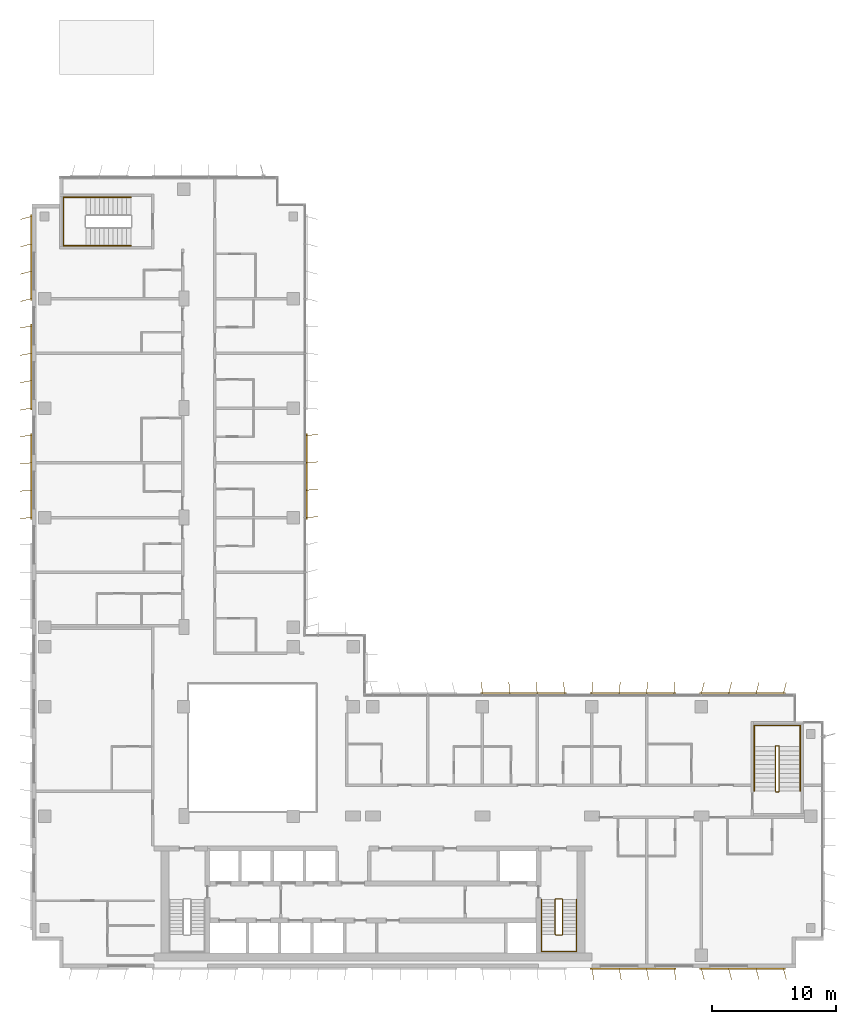
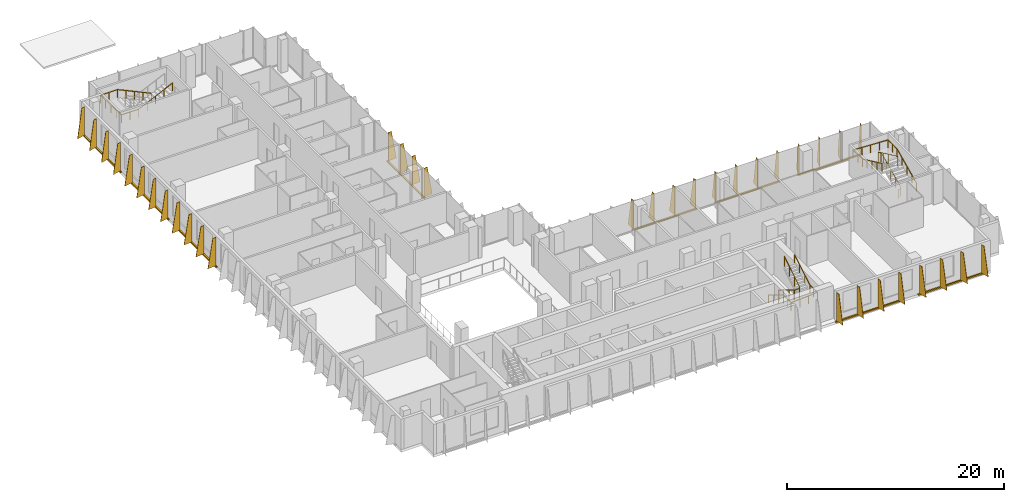
# One storey, part 20 of 21: 9 shading devices, 5 railings.
"""IFC4 building model written with IfcOpenShell, lengths in metres."""

from ifc_helpers import new_model, si_unit, direction, frame, origin, origin_2d, place, context, subcontext, project, spatial, polyline, rectangle, circle, outline, extrude, source, transform, mapped, material, layer, layer_set, type_object, element, save


model = new_model("IFC4")

# Units and contexts
model_context = context("Model", 3, precision=1e-05, world=origin(), true_north=direction((0.0, 1.0)))
body_context = subcontext(model_context, "Body", "Model", "MODEL_VIEW")
ifc_project = project(units=[si_unit("LENGTHUNIT", "METRE"), si_unit("AREAUNIT", "SQUARE_METRE"), si_unit("VOLUMEUNIT", "CUBIC_METRE"), si_unit("PLANEANGLEUNIT", "RADIAN"), si_unit("MASSUNIT", "GRAM", prefix="KILO")], contexts=[model_context])

# Site, building, storey
site_placement = place(None, origin())
site = spatial("IfcSite", under=ifc_project, at=site_placement, CompositionType="ELEMENT")
building_placement = place(site_placement, origin())
building = spatial("IfcBuilding", under=site, at=building_placement, Name="Kemantara Hotel Tower", CompositionType="ELEMENT")
storey_placement = place(building_placement, frame((0.0, 0.0, 156.800048828125)))
storey = spatial("IfcBuildingStorey", under=building, at=storey_placement, Name="L38", CompositionType="ELEMENT", Elevation=156.800048828125)

# Railings
ifc_material_1 = material(Name="Stainless steel balustrade", Category="steel")
railing_type_1 = type_object("IfcRailingType", Name="Stair guard 1100 mm", PredefinedType="GUARDRAIL", material=ifc_material_1)
railing_1_placement = place(storey_placement, frame((42.64990234375, 5.5, 3.699951171875)))
element("IfcRailing", 1, at=railing_1_placement, inside=storey, type_object=railing_type_1, Name="L38 ST2 stair guard 1", PredefinedType="GUARDRAIL", context=body_context, shape_type="SweptSolid", body=[
    extrude(circle(Radius=0.02392578125, at=origin_2d()), frame((0.0, 0.0, 1.076171875), z_axis=(0.0, -0.857242210791, -0.514913383045), x_axis=(1.0, 0.0, 0.0)), (0.0, 0.0, 1.0), 3.266357421875),
    extrude(circle(Radius=0.02392578125, at=origin_2d()), frame((0.0, -2.800048828125, -0.60595703125), z_axis=(-0.273006030465, -0.27434429532, -0.922064485248), x_axis=(0.708833529934, -0.705375805398, 0.0)), (0.0, 0.0, 1.0), 0.182373046875),
    extrude(circle(Radius=0.02392578125, at=origin_2d()), frame((-0.0498046875, -2.85009765625, -0.77392578125), z_axis=(-1.0, 0.0, 0.0), x_axis=(0.0, -1.0, 0.0)), (0.0, 0.0, 1.0), 0.5),
    extrude(circle(Radius=0.02392578125, at=origin_2d()), frame((-0.5498046875, -2.85009765625, -0.77392578125), z_axis=(-0.707106781187, 0.707106781187, 0.0), x_axis=(-0.707106781187, -0.707106781187, 0.0)), (0.0, 0.0, 1.0), 0.07080078125),
    extrude(circle(Radius=0.02392578125, at=origin_2d()), frame((-0.599853515625, -2.800048828125, -0.77392578125), z_axis=(0.0, 0.857275202839, -0.514858452973), x_axis=(-1.0, 0.0, 0.0)), (0.0, 0.0, 1.0), 3.26611328125),
    extrude(circle(Radius=0.02392578125, at=origin_2d()), frame((-0.599853515625, 0.0, -2.45556640625), z_axis=(0.274243871929, 0.274243871929, -0.92172696468), x_axis=(-0.707106781187, 0.707106781187, 0.0)), (0.0, 0.0, 1.0), 0.1826171875),
    extrude(circle(Radius=0.02392578125, at=origin_2d()), frame((-0.5498046875, 0.050048828125, -2.6240234375), z_axis=(1.0, 0.0, 0.0), x_axis=(0.0, 1.0, 0.0)), (0.0, 0.0, 1.0), 0.5),
    extrude(circle(Radius=0.02099609375, at=origin_2d()), origin(), (0.0, 0.0, 1.0), 1.052001953125),
    extrude(circle(Radius=0.02099609375, at=origin_2d()), frame((0.0, -0.933349609375, -0.560546875)), (0.0, 0.0, 1.0), 1.052001953125),
    extrude(circle(Radius=0.02099609375, at=origin_2d()), frame((0.0, -1.86669921875, -1.121337890625)), (0.0, 0.0, 1.0), 1.052001953125),
    extrude(circle(Radius=0.02099609375, at=origin_2d()), frame((0.0, -2.800048828125, -1.681884765625)), (0.0, 0.0, 1.0), 1.052001953125),
    extrude(circle(Radius=0.02099609375, at=origin_2d()), frame((-0.0498046875, -2.85009765625, -1.85009765625)), (0.0, 0.0, 1.0), 1.052001953125),
    extrude(circle(Radius=0.02099609375, at=origin_2d()), frame((-0.5498046875, -2.85009765625, -1.85009765625)), (0.0, 0.0, 1.0), 1.052001953125),
    extrude(circle(Radius=0.02099609375, at=origin_2d()), frame((-0.599853515625, -2.800048828125, -1.85009765625)), (0.0, 0.0, 1.0), 1.052001953125),
    extrude(circle(Radius=0.02099609375, at=origin_2d()), frame((-0.599853515625, -1.86669921875, -2.41064453125)), (0.0, 0.0, 1.0), 1.052001953125),
    extrude(circle(Radius=0.02099609375, at=origin_2d()), frame((-0.599853515625, -0.933349609375, -2.97119140625)), (0.0, 0.0, 1.0), 1.052001953125),
    extrude(circle(Radius=0.02099609375, at=origin_2d()), frame((-0.599853515625, 0.0, -3.53173828125)), (0.0, 0.0, 1.0), 1.052001953125),
    extrude(circle(Radius=0.02099609375, at=origin_2d()), frame((-0.5498046875, 0.050048828125, -3.699951171875)), (0.0, 0.0, 1.0), 1.052001953125),
    extrude(circle(Radius=0.02099609375, at=origin_2d()), frame((-0.0498046875, 0.050048828125, -3.699951171875)), (0.0, 0.0, 1.0), 1.052001953125),
])
railing_2_placement = place(storey_placement, frame((59.75, 14.199951171875, 3.699951171875)))
element("IfcRailing", 2, at=railing_2_placement, inside=storey, type_object=railing_type_1, Name="L38 ST3 stair guard 1", PredefinedType="GUARDRAIL", context=body_context, shape_type="SweptSolid", body=[
    extrude(circle(Radius=0.02392578125, at=origin_2d()), frame((0.0, 0.0, 1.076171875), z_axis=(0.0, 0.906005689286, -0.423265508849), x_axis=(-1.0, 0.0, 0.0)), (0.0, 0.0, 1.0), 3.9736328125),
    extrude(circle(Radius=0.02392578125, at=origin_2d()), frame((0.0, 3.60009765625, -0.60595703125), z_axis=(0.274243871929, 0.274243871929, -0.92172696468), x_axis=(-0.707106781187, 0.707106781187, 0.0)), (0.0, 0.0, 1.0), 0.1826171875),
    extrude(circle(Radius=0.02392578125, at=origin_2d()), frame((0.050048828125, 3.650146484375, -0.77392578125), z_axis=(1.0, 0.0, 0.0), x_axis=(0.0, 1.0, 0.0)), (0.0, 0.0, 1.0), 0.199951171875),
    extrude(circle(Radius=0.02392578125, at=origin_2d()), frame((0.25, 3.650146484375, -0.77392578125), z_axis=(0.707106781187, -0.707106781187, 0.0), x_axis=(0.707106781187, 0.707106781187, 0.0)), (0.0, 0.0, 1.0), 0.07080078125),
    extrude(circle(Radius=0.02392578125, at=origin_2d()), frame((0.300048828125, 3.60009765625, -0.77392578125), z_axis=(0.0, -0.906029249863, -0.423215073447), x_axis=(1.0, 0.0, 0.0)), (0.0, 0.0, 1.0), 3.973388671875),
    extrude(circle(Radius=0.02392578125, at=origin_2d()), frame((0.300048828125, 0.0, -2.45556640625), z_axis=(-0.274243871929, -0.274243871929, -0.92172696468), x_axis=(0.707106781187, -0.707106781187, 0.0)), (0.0, 0.0, 1.0), 0.1826171875),
    extrude(circle(Radius=0.02392578125, at=origin_2d()), frame((0.25, -0.050048828125, -2.6240234375), z_axis=(-1.0, 0.0, 0.0), x_axis=(0.0, -1.0, 0.0)), (0.0, 0.0, 1.0), 0.199951171875),
    extrude(circle(Radius=0.02099609375, at=origin_2d()), origin(), (0.0, 0.0, 1.0), 1.052001953125),
    extrude(circle(Radius=0.02099609375, at=origin_2d()), frame((0.0, 0.89990234375, -0.42041015625)), (0.0, 0.0, 1.0), 1.052001953125),
    extrude(circle(Radius=0.02099609375, at=origin_2d()), frame((0.0, 1.800048828125, -0.8408203125)), (0.0, 0.0, 1.0), 1.052001953125),
    extrude(circle(Radius=0.02099609375, at=origin_2d()), frame((0.0, 2.7001953125, -1.261474609375)), (0.0, 0.0, 1.0), 1.052001953125),
    extrude(circle(Radius=0.02099609375, at=origin_2d()), frame((0.0, 3.60009765625, -1.681884765625)), (0.0, 0.0, 1.0), 1.052001953125),
    extrude(circle(Radius=0.02099609375, at=origin_2d()), frame((0.050048828125, 3.650146484375, -1.85009765625)), (0.0, 0.0, 1.0), 1.052001953125),
    extrude(circle(Radius=0.02099609375, at=origin_2d()), frame((0.25, 3.650146484375, -1.85009765625)), (0.0, 0.0, 1.0), 1.052001953125),
    extrude(circle(Radius=0.02099609375, at=origin_2d()), frame((0.300048828125, 3.60009765625, -1.85009765625)), (0.0, 0.0, 1.0), 1.052001953125),
    extrude(circle(Radius=0.02099609375, at=origin_2d()), frame((0.300048828125, 2.7001953125, -2.2705078125)), (0.0, 0.0, 1.0), 1.052001953125),
    extrude(circle(Radius=0.02099609375, at=origin_2d()), frame((0.300048828125, 1.800048828125, -2.69091796875)), (0.0, 0.0, 1.0), 1.052001953125),
    extrude(circle(Radius=0.02099609375, at=origin_2d()), frame((0.300048828125, 0.89990234375, -3.111328125)), (0.0, 0.0, 1.0), 1.052001953125),
    extrude(circle(Radius=0.02099609375, at=origin_2d()), frame((0.300048828125, 0.0, -3.53173828125)), (0.0, 0.0, 1.0), 1.052001953125),
    extrude(circle(Radius=0.02099609375, at=origin_2d()), frame((0.25, -0.050048828125, -3.699951171875)), (0.0, 0.0, 1.0), 1.052001953125),
    extrude(circle(Radius=0.02099609375, at=origin_2d()), frame((0.050048828125, -0.050048828125, -3.699951171875)), (0.0, 0.0, 1.0), 1.052001953125),
])
railing_type_2 = type_object("IfcRailingType", Name="Stair handrail 900 mm", PredefinedType="HANDRAIL", material=ifc_material_1)
railing_3_placement = place(storey_placement, frame((40.949951171875, 5.5, 0.168212890625)))
element("IfcRailing", 3, at=railing_3_placement, inside=storey, type_object=railing_type_2, Name="L38 ST2 stair handrail 1", PredefinedType="HANDRAIL", context=body_context, shape_type="SweptSolid", body=[
    extrude(circle(Radius=0.02392578125, at=origin_2d()), frame((0.0, 0.0, 0.8759765625), z_axis=(0.0, -0.857275202839, 0.514858452973), x_axis=(1.0, 0.0, 0.0)), (0.0, 0.0, 1.0), 3.26611328125),
    extrude(circle(Radius=0.02392578125, at=origin_2d()), frame((0.0, -2.800048828125, 2.5576171875), z_axis=(0.0, -1.0, 0.0), x_axis=(1.0, 0.0, 0.0)), (0.0, 0.0, 1.0), 1.3798828125),
    extrude(circle(Radius=0.02392578125, at=origin_2d()), frame((0.0, -4.179931640625, 2.5576171875), z_axis=(0.998200367801, 0.0, 0.059966871865), x_axis=(0.0, 1.0, 0.0)), (0.0, 0.0, 1.0), 2.80517578125),
    extrude(circle(Radius=0.02392578125, at=origin_2d()), frame((2.800048828125, -4.179931640625, 2.7255859375), z_axis=(0.0, 1.0, 0.0), x_axis=(-1.0, 0.0, 0.0)), (0.0, 0.0, 1.0), 1.3798828125),
    extrude(circle(Radius=0.02392578125, at=origin_2d()), frame((2.800048828125, -2.800048828125, 2.7255859375), z_axis=(0.0, 0.857242210791, 0.514913383045), x_axis=(-1.0, 0.0, 0.0)), (0.0, 0.0, 1.0), 3.266357421875),
    extrude(circle(Radius=0.02099609375, at=origin_2d()), origin(), (0.0, 0.0, 1.0), 0.851806640625),
    extrude(circle(Radius=0.02099609375, at=origin_2d()), frame((0.0, -0.933349609375, 0.560546875)), (0.0, 0.0, 1.0), 0.851806640625),
    extrude(circle(Radius=0.02099609375, at=origin_2d()), frame((0.0, -1.86669921875, 1.12109375)), (0.0, 0.0, 1.0), 0.851806640625),
    extrude(circle(Radius=0.02099609375, at=origin_2d()), frame((0.0, -2.800048828125, 1.681640625)), (0.0, 0.0, 1.0), 0.851806640625),
    extrude(circle(Radius=0.02099609375, at=origin_2d()), frame((0.0, -3.489990234375, 1.681640625)), (0.0, 0.0, 1.0), 0.851806640625),
    extrude(circle(Radius=0.02099609375, at=origin_2d()), frame((0.0, -4.179931640625, 1.681640625)), (0.0, 0.0, 1.0), 0.851806640625),
    extrude(circle(Radius=0.02099609375, at=origin_2d()), frame((0.933349609375, -4.179931640625, 1.73779296875)), (0.0, 0.0, 1.0), 0.851806640625),
    extrude(circle(Radius=0.02099609375, at=origin_2d()), frame((1.86669921875, -4.179931640625, 1.793701171875)), (0.0, 0.0, 1.0), 0.851806640625),
    extrude(circle(Radius=0.02099609375, at=origin_2d()), frame((2.800048828125, -4.179931640625, 1.849853515625)), (0.0, 0.0, 1.0), 0.851806640625),
    extrude(circle(Radius=0.02099609375, at=origin_2d()), frame((2.800048828125, -3.489990234375, 1.849853515625)), (0.0, 0.0, 1.0), 0.851806640625),
    extrude(circle(Radius=0.02099609375, at=origin_2d()), frame((2.800048828125, -2.800048828125, 1.849853515625)), (0.0, 0.0, 1.0), 0.851806640625),
    extrude(circle(Radius=0.02099609375, at=origin_2d()), frame((2.800048828125, -1.86669921875, 2.410400390625)), (0.0, 0.0, 1.0), 0.851806640625),
    extrude(circle(Radius=0.02099609375, at=origin_2d()), frame((2.800048828125, -0.933349609375, 2.97119140625)), (0.0, 0.0, 1.0), 0.851806640625),
    extrude(circle(Radius=0.02099609375, at=origin_2d()), frame((2.800048828125, 0.0, 3.53173828125)), (0.0, 0.0, 1.0), 0.851806640625),
])
railing_4_placement = place(storey_placement, frame((61.75, 14.199951171875, 0.168212890625)))
element("IfcRailing", 4, at=railing_4_placement, inside=storey, type_object=railing_type_2, Name="L38 ST3 stair handrail 1", PredefinedType="HANDRAIL", context=body_context, shape_type="SweptSolid", body=[
    extrude(circle(Radius=0.02392578125, at=origin_2d()), frame((0.0, 0.0, 0.8759765625), z_axis=(0.0, 0.906029249863, 0.423215073447), x_axis=(-1.0, 0.0, 0.0)), (0.0, 0.0, 1.0), 3.973388671875),
    extrude(circle(Radius=0.02392578125, at=origin_2d()), frame((0.0, 3.60009765625, 2.5576171875), z_axis=(0.0, 1.0, 0.0), x_axis=(-1.0, 0.0, 0.0)), (0.0, 0.0, 1.0), 1.679931640625),
    extrude(circle(Radius=0.02392578125, at=origin_2d()), frame((0.0, 5.280029296875, 2.5576171875), z_axis=(-0.998968132438, 0.0, 0.045416631029), x_axis=(0.0, -1.0, 0.0)), (0.0, 0.0, 1.0), 3.703857421875),
    extrude(circle(Radius=0.02392578125, at=origin_2d()), frame((-3.699951171875, 5.280029296875, 2.7255859375), z_axis=(0.0, -1.0, 0.0), x_axis=(1.0, 0.0, 0.0)), (0.0, 0.0, 1.0), 1.679931640625),
    extrude(circle(Radius=0.02392578125, at=origin_2d()), frame((-3.699951171875, 3.60009765625, 2.7255859375), z_axis=(0.0, -0.906005689286, 0.423265508849), x_axis=(1.0, 0.0, 0.0)), (0.0, 0.0, 1.0), 3.9736328125),
    extrude(circle(Radius=0.02099609375, at=origin_2d()), origin(), (0.0, 0.0, 1.0), 0.851806640625),
    extrude(circle(Radius=0.02099609375, at=origin_2d()), frame((0.0, 0.89990234375, 0.42041015625)), (0.0, 0.0, 1.0), 0.851806640625),
    extrude(circle(Radius=0.02099609375, at=origin_2d()), frame((0.0, 1.800048828125, 0.8408203125)), (0.0, 0.0, 1.0), 0.851806640625),
    extrude(circle(Radius=0.02099609375, at=origin_2d()), frame((0.0, 2.7001953125, 1.26123046875)), (0.0, 0.0, 1.0), 0.851806640625),
    extrude(circle(Radius=0.02099609375, at=origin_2d()), frame((0.0, 3.60009765625, 1.681640625)), (0.0, 0.0, 1.0), 0.851806640625),
    extrude(circle(Radius=0.02099609375, at=origin_2d()), frame((0.0, 4.43994140625, 1.681640625)), (0.0, 0.0, 1.0), 0.851806640625),
    extrude(circle(Radius=0.02099609375, at=origin_2d()), frame((0.0, 5.280029296875, 1.681640625)), (0.0, 0.0, 1.0), 0.851806640625),
    extrude(circle(Radius=0.02099609375, at=origin_2d()), frame((-0.925048828125, 5.280029296875, 1.7236328125)), (0.0, 0.0, 1.0), 0.851806640625),
    extrude(circle(Radius=0.02099609375, at=origin_2d()), frame((-1.85009765625, 5.280029296875, 1.765625)), (0.0, 0.0, 1.0), 0.851806640625),
    extrude(circle(Radius=0.02099609375, at=origin_2d()), frame((-2.77490234375, 5.280029296875, 1.807861328125)), (0.0, 0.0, 1.0), 0.851806640625),
    extrude(circle(Radius=0.02099609375, at=origin_2d()), frame((-3.699951171875, 5.280029296875, 1.849853515625)), (0.0, 0.0, 1.0), 0.851806640625),
    extrude(circle(Radius=0.02099609375, at=origin_2d()), frame((-3.699951171875, 4.43994140625, 1.849853515625)), (0.0, 0.0, 1.0), 0.851806640625),
    extrude(circle(Radius=0.02099609375, at=origin_2d()), frame((-3.699951171875, 3.60009765625, 1.849853515625)), (0.0, 0.0, 1.0), 0.851806640625),
    extrude(circle(Radius=0.02099609375, at=origin_2d()), frame((-3.699951171875, 2.7001953125, 2.270263671875)), (0.0, 0.0, 1.0), 0.851806640625),
    extrude(circle(Radius=0.02099609375, at=origin_2d()), frame((-3.699951171875, 1.800048828125, 2.69091796875)), (0.0, 0.0, 1.0), 0.851806640625),
    extrude(circle(Radius=0.02099609375, at=origin_2d()), frame((-3.699951171875, 0.89990234375, 3.111328125)), (0.0, 0.0, 1.0), 0.851806640625),
    extrude(circle(Radius=0.02099609375, at=origin_2d()), frame((-3.699951171875, 0.0, 3.53173828125)), (0.0, 0.0, 1.0), 0.851806640625),
])
railing_5_placement = place(storey_placement, frame((7.949951171875, 61.949951171875, 0.168212890625)))
element("IfcRailing", 5, at=railing_5_placement, inside=storey, type_object=railing_type_2, Name="L38 ST4 stair handrail 1", PredefinedType="HANDRAIL", context=body_context, shape_type="SweptSolid", body=[
    extrude(circle(Radius=0.02392578125, at=origin_2d()), frame((0.0, 0.0, 0.8759765625), z_axis=(-0.906018243939, 0.0, 0.423238634402), x_axis=(0.0, -1.0, 0.0)), (0.0, 0.0, 1.0), 3.973388671875),
    extrude(circle(Radius=0.02392578125, at=origin_2d()), frame((-3.599853515625, 0.0, 2.5576171875), z_axis=(-1.0, 0.0, 0.0), x_axis=(0.0, -1.0, 0.0)), (0.0, 0.0, 1.0), 1.830078125),
    extrude(circle(Radius=0.02392578125, at=origin_2d()), frame((-5.429931640625, 0.0, 2.5576171875), z_axis=(0.0, -0.999071085748, 0.043092523981), x_axis=(1.0, 0.0, 0.0)), (0.0, 0.0, 1.0), 3.903564453125),
    extrude(circle(Radius=0.02392578125, at=origin_2d()), frame((-5.429931640625, -3.89990234375, 2.7255859375), z_axis=(1.0, 0.0, 0.0), x_axis=(0.0, 1.0, 0.0)), (0.0, 0.0, 1.0), 1.830078125),
    extrude(circle(Radius=0.02392578125, at=origin_2d()), frame((-3.599853515625, -3.89990234375, 2.7255859375), z_axis=(0.905994681025, 0.0, 0.423289071386), x_axis=(0.0, 1.0, 0.0)), (0.0, 0.0, 1.0), 3.973388671875),
    extrude(circle(Radius=0.02099609375, at=origin_2d()), origin(), (0.0, 0.0, 1.0), 0.851806640625),
    extrude(circle(Radius=0.02099609375, at=origin_2d()), frame((-0.89990234375, 0.0, 0.42041015625)), (0.0, 0.0, 1.0), 0.851806640625),
    extrude(circle(Radius=0.02099609375, at=origin_2d()), frame((-1.7998046875, 0.0, 0.8408203125)), (0.0, 0.0, 1.0), 0.851806640625),
    extrude(circle(Radius=0.02099609375, at=origin_2d()), frame((-2.699951171875, 0.0, 1.26123046875)), (0.0, 0.0, 1.0), 0.851806640625),
    extrude(circle(Radius=0.02099609375, at=origin_2d()), frame((-3.599853515625, 0.0, 1.681640625)), (0.0, 0.0, 1.0), 0.851806640625),
    extrude(circle(Radius=0.02099609375, at=origin_2d()), frame((-4.514892578125, 0.0, 1.681640625)), (0.0, 0.0, 1.0), 0.851806640625),
    extrude(circle(Radius=0.02099609375, at=origin_2d()), frame((-5.429931640625, 0.0, 1.681640625)), (0.0, 0.0, 1.0), 0.851806640625),
    extrude(circle(Radius=0.02099609375, at=origin_2d()), frame((-5.429931640625, -0.97509765625, 1.7236328125)), (0.0, 0.0, 1.0), 0.851806640625),
    extrude(circle(Radius=0.02099609375, at=origin_2d()), frame((-5.429931640625, -1.949951171875, 1.765625)), (0.0, 0.0, 1.0), 0.851806640625),
    extrude(circle(Radius=0.02099609375, at=origin_2d()), frame((-5.429931640625, -2.9248046875, 1.807861328125)), (0.0, 0.0, 1.0), 0.851806640625),
    extrude(circle(Radius=0.02099609375, at=origin_2d()), frame((-5.429931640625, -3.89990234375, 1.849853515625)), (0.0, 0.0, 1.0), 0.851806640625),
    extrude(circle(Radius=0.02099609375, at=origin_2d()), frame((-4.514892578125, -3.89990234375, 1.849853515625)), (0.0, 0.0, 1.0), 0.851806640625),
    extrude(circle(Radius=0.02099609375, at=origin_2d()), frame((-3.599853515625, -3.89990234375, 1.849853515625)), (0.0, 0.0, 1.0), 0.851806640625),
    extrude(circle(Radius=0.02099609375, at=origin_2d()), frame((-2.699951171875, -3.89990234375, 2.270263671875)), (0.0, 0.0, 1.0), 0.851806640625),
    extrude(circle(Radius=0.02099609375, at=origin_2d()), frame((-1.7998046875, -3.89990234375, 2.69091796875)), (0.0, 0.0, 1.0), 0.851806640625),
    extrude(circle(Radius=0.02099609375, at=origin_2d()), frame((-0.89990234375, -3.89990234375, 3.111328125)), (0.0, 0.0, 1.0), 0.851806640625),
    extrude(circle(Radius=0.02099609375, at=origin_2d()), frame((0.0, -3.89990234375, 3.53173828125)), (0.0, 0.0, 1.0), 0.851806640625),
])

# Shading devices
ifc_material_2 = material(Name="Perforated aluminium plate 4 mm bronze anodised", Category="aluminium")
ifc_layer_1 = layer(ifc_material_2, 0.0400390625)
ifc_layer_set_1 = layer_set([ifc_layer_1], Name="Perforated aluminium plate 4 mm bronze anodised")
shading_device_type_1 = type_object("IfcShadingDeviceType", Name="SCREEN FIN CASSETTE, 4 BLADES AT -5.0 DEG, 3200 HIGH", PredefinedType="USERDEFINED", material=ifc_layer_set_1)
shared_shape_1 = source(origin(), body_context, "Body", "SweptSolid", [
    extrude(rectangle(XDim=6.89990234375, YDim=0.14990234375, at=origin_2d()), frame((3.300048828125, -0.074951171875, -0.14990234375), z_axis=(0.0, 0.0, 1.0), x_axis=(1.0, 0.0, 0.0)), (0.0, 0.0, 1.0), 0.14990234375),
    extrude(outline(polyline([(0.0, 0.0), (0.89990234375, 0.0), (0.35009765625, 3.199951171875), (0.0, 3.199951171875), (0.0, 0.0)])), frame((0.02001953125, -0.07666015625, 0.0), z_axis=(-0.996376129781, 0.085056498884, 0.0), x_axis=(-0.085056498884, -0.996376129781, 0.0)), (0.0, 0.0, 1.0), 0.040283203125),
    extrude(outline(polyline([(0.0, 0.0), (0.89990234375, 0.0), (0.35009765625, 3.199951171875), (0.0, 3.199951171875), (0.0, 0.0)])), frame((2.219970703125, -0.07666015625, 0.0), z_axis=(-0.996331773833, 0.085574508182, 0.0), x_axis=(-0.085574508182, -0.996331773833, 0.0)), (0.0, 0.0, 1.0), 0.0400390625),
    extrude(outline(polyline([(0.0, 0.0), (0.89990234375, 0.0), (0.35009765625, 3.199951171875), (0.0, 3.199951171875), (0.0, 0.0)])), frame((4.419921875, -0.07666015625, 0.0), z_axis=(-0.996331773833, 0.085574508182, 0.0), x_axis=(-0.085574508182, -0.996331773833, 0.0)), (0.0, 0.0, 1.0), 0.0400390625),
    extrude(outline(polyline([(0.0, 0.0), (0.89990234375, 0.0), (0.35009765625, 3.199951171875), (0.0, 3.199951171875), (0.0, 0.0)])), frame((6.619873046875, -0.07666015625, 0.0), z_axis=(-0.996331773833, 0.085574508182, 0.0), x_axis=(-0.085574508182, -0.996331773833, 0.0)), (0.0, 0.0, 1.0), 0.0400390625),
])
shading_device_1_placement = place(storey_placement, frame((51.60009765625, 22.0, 0.099853515625), z_axis=(0.0, 0.0, 1.0), x_axis=(-1.0, 0.0, 0.0)))
element("IfcShadingDevice", 6, at=shading_device_1_placement, inside=storey, type_object=shading_device_type_1, Name="SCREEN FIN CASSETTE L38 T3-R14-2", ObjectType="SCREEN FIN", PredefinedType="USERDEFINED", context=body_context, shape_type="MappedRepresentation", body=[
    mapped(shared_shape_1, transform((0.0, 0.0, 0.0))),
])
ifc_layer_2 = layer(ifc_material_2, 0.0400390625)
ifc_layer_set_2 = layer_set([ifc_layer_2], Name="Perforated aluminium plate 4 mm bronze anodised")
shading_device_type_2 = type_object("IfcShadingDeviceType", Name="SCREEN FIN CASSETTE, 4 BLADES AT +5.0 DEG, 3200 HIGH", PredefinedType="USERDEFINED", material=ifc_layer_set_2)
shared_shape_2 = source(origin(), body_context, "Body", "SweptSolid", [
    extrude(rectangle(XDim=6.89990234375, YDim=0.14990234375, at=origin_2d()), frame((3.300048828125, -0.074951171875, -0.14990234375), z_axis=(0.0, 0.0, 1.0), x_axis=(1.0, 0.0, 0.0)), (0.0, 0.0, 1.0), 0.14990234375),
    extrude(outline(polyline([(0.0, 0.0), (0.89990234375, 0.0), (0.35009765625, 3.199951171875), (0.0, 3.199951171875), (0.0, 0.0)])), frame((0.02001953125, -0.0732421875, 0.0), z_axis=(-0.996376129781, -0.085056498884, 0.0), x_axis=(0.085056498884, -0.996376129781, 0.0)), (0.0, 0.0, 1.0), 0.040283203125),
    extrude(outline(polyline([(0.0, 0.0), (0.89990234375, 0.0), (0.35009765625, 3.199951171875), (0.0, 3.199951171875), (0.0, 0.0)])), frame((2.219970703125, -0.0732421875, 0.0), z_axis=(-0.996331773833, -0.085574508182, 0.0), x_axis=(0.085574508182, -0.996331773833, 0.0)), (0.0, 0.0, 1.0), 0.0400390625),
    extrude(outline(polyline([(0.0, 0.0), (0.89990234375, 0.0), (0.35009765625, 3.199951171875), (0.0, 3.199951171875), (0.0, 0.0)])), frame((4.419921875, -0.0732421875, 0.0), z_axis=(-0.996331773833, -0.085574508182, 0.0), x_axis=(0.085574508182, -0.996331773833, 0.0)), (0.0, 0.0, 1.0), 0.0400390625),
    extrude(outline(polyline([(0.0, 0.0), (0.89990234375, 0.0), (0.35009765625, 3.199951171875), (0.0, 3.199951171875), (0.0, 0.0)])), frame((6.619873046875, -0.0732421875, 0.0), z_axis=(-0.996331773833, -0.085574508182, 0.0), x_axis=(0.085574508182, -0.996331773833, 0.0)), (0.0, 0.0, 1.0), 0.0400390625),
])
for number, where, z_axis, x_axis, name in (
    (7, (0.0, 42.800048828125, 0.099853515625), (0.0, 0.0, 1.0), (0.0, -1.0, 0.0), "SCREEN FIN CASSETTE L38 T3-R05-3"),
    (8, (42.800048828125, 22.0, 0.099853515625), (0.0, 0.0, 1.0), (-1.0, 0.0, 0.0), "SCREEN FIN CASSETTE L38 T3-R14-3"),
    (9, (22.0, 36.199951171875, 0.099853515625), (0.0, 0.0, 1.0), (0.0, 1.0, 0.0), "SCREEN FIN CASSETTE L38 T3-R17-2"),
):
    element("IfcShadingDevice", number, at=place(storey_placement, frame(where, z_axis=z_axis, x_axis=x_axis)), inside=storey, type_object=shading_device_type_2, Name=name, ObjectType="SCREEN FIN", PredefinedType="USERDEFINED", context=body_context, shape_type="MappedRepresentation", body=[
        mapped(shared_shape_2, transform((0.0, 0.0, 0.0))),
    ])
ifc_layer_3 = layer(ifc_material_2, 0.0400390625)
ifc_layer_set_3 = layer_set([ifc_layer_3], Name="Perforated aluminium plate 4 mm bronze anodised")
shading_device_type_3 = type_object("IfcShadingDeviceType", Name="SCREEN FIN CASSETTE, 4 BLADES AT +10.0 DEG, 3200 HIGH", PredefinedType="USERDEFINED", material=ifc_layer_set_3)
shared_shape_3 = source(origin(), body_context, "Body", "SweptSolid", [
    extrude(rectangle(XDim=6.89990234375, YDim=0.14990234375, at=origin_2d()), frame((3.300048828125, -0.074951171875, -0.14990234375), z_axis=(0.0, 0.0, 1.0), x_axis=(1.0, 0.0, 0.0)), (0.0, 0.0, 1.0), 0.14990234375),
    extrude(outline(polyline([(0.0, 0.0), (0.89990234375, 0.0), (0.35009765625, 3.199951171875), (0.0, 3.199951171875), (0.0, 0.0)])), frame((0.019775390625, -0.071533203125, 0.0), z_axis=(-0.985389793052, -0.170314285219, 0.0), x_axis=(0.170314285219, -0.985389793052, 0.0)), (0.0, 0.0, 1.0), 0.0400390625),
    extrude(outline(polyline([(0.0, 0.0), (0.89990234375, 0.0), (0.35009765625, 3.199951171875), (0.0, 3.199951171875), (0.0, 0.0)])), frame((2.2197265625, -0.071533203125, 0.0), z_axis=(-0.98521175482, -0.171341174751, 0.0), x_axis=(0.171341174751, -0.98521175482, 0.0)), (0.0, 0.0, 1.0), 0.039794921875),
    extrude(outline(polyline([(0.0, 0.0), (0.89990234375, 0.0), (0.35009765625, 3.199951171875), (0.0, 3.199951171875), (0.0, 0.0)])), frame((4.419677734375, -0.071533203125, 0.0), z_axis=(-0.98521175482, -0.171341174751, 0.0), x_axis=(0.171341174751, -0.98521175482, 0.0)), (0.0, 0.0, 1.0), 0.039794921875),
    extrude(outline(polyline([(0.0, 0.0), (0.89990234375, 0.0), (0.35009765625, 3.199951171875), (0.0, 3.199951171875), (0.0, 0.0)])), frame((6.61962890625, -0.071533203125, 0.0), z_axis=(-0.98521175482, -0.171341174751, 0.0), x_axis=(0.171341174751, -0.98521175482, 0.0)), (0.0, 0.0, 1.0), 0.039794921875),
])
for number, where, z_axis, x_axis, name in (
    (10, (0.0, 51.60009765625, 0.099853515625), (0.0, 0.0, 1.0), (0.0, -1.0, 0.0), "SCREEN FIN CASSETTE L38 T3-R05-2"),
    (11, (45.0, 0.0, 0.099853515625), (0.0, 0.0, 1.0), (1.0, 0.0, 0.0), "SCREEN FIN CASSETTE L38 T3-R08-6"),
):
    element("IfcShadingDevice", number, at=place(storey_placement, frame(where, z_axis=z_axis, x_axis=x_axis)), inside=storey, type_object=shading_device_type_3, Name=name, ObjectType="SCREEN FIN", PredefinedType="USERDEFINED", context=body_context, shape_type="MappedRepresentation", body=[
        mapped(shared_shape_3, transform((0.0, 0.0, 0.0))),
    ])
ifc_layer_4 = layer(ifc_material_2, 0.0400390625)
ifc_layer_set_4 = layer_set([ifc_layer_4], Name="Perforated aluminium plate 4 mm bronze anodised")
shading_device_type_4 = type_object("IfcShadingDeviceType", Name="SCREEN FIN CASSETTE, 4 BLADES AT +15.0 DEG, 3200 HIGH", PredefinedType="USERDEFINED", material=ifc_layer_set_4)
shared_shape_4 = source(origin(), body_context, "Body", "SweptSolid", [
    extrude(rectangle(XDim=6.89990234375, YDim=0.14990234375, at=origin_2d()), frame((3.300048828125, -0.074951171875, -0.14990234375), z_axis=(0.0, 0.0, 1.0), x_axis=(1.0, 0.0, 0.0)), (0.0, 0.0, 1.0), 0.14990234375),
    extrude(outline(polyline([(0.0, 0.0), (0.89990234375, 0.0), (0.35009765625, 3.199951171875), (0.0, 3.199951171875), (0.0, 0.0)])), frame((0.019287109375, -0.06982421875, 0.0), z_axis=(-0.966437683387, -0.256901156343, 0.0), x_axis=(0.256901156343, -0.966437683387, 0.0)), (0.0, 0.0, 1.0), 0.039794921875),
    extrude(outline(polyline([(0.0, 0.0), (0.89990234375, 0.0), (0.35009765625, 3.199951171875), (0.0, 3.199951171875), (0.0, 0.0)])), frame((2.21923828125, -0.06982421875, 0.0), z_axis=(-0.966437683387, -0.256901156343, 0.0), x_axis=(0.256901156343, -0.966437683387, 0.0)), (0.0, 0.0, 1.0), 0.039794921875),
    extrude(outline(polyline([(0.0, 0.0), (0.89990234375, 0.0), (0.35009765625, 3.199951171875), (0.0, 3.199951171875), (0.0, 0.0)])), frame((4.41943359375, -0.06982421875, 0.0), z_axis=(-0.966837822169, -0.255391122837, 0.0), x_axis=(0.255391122837, -0.966837822169, 0.0)), (0.0, 0.0, 1.0), 0.0400390625),
    extrude(outline(polyline([(0.0, 0.0), (0.89990234375, 0.0), (0.35009765625, 3.199951171875), (0.0, 3.199951171875), (0.0, 0.0)])), frame((6.619384765625, -0.06982421875, 0.0), z_axis=(-0.966837822169, -0.255391122837, 0.0), x_axis=(0.255391122837, -0.966837822169, 0.0)), (0.0, 0.0, 1.0), 0.0400390625),
])
for number, where, z_axis, x_axis, name in (
    (12, (0.0, 60.39990234375, 0.099853515625), (0.0, 0.0, 1.0), (0.0, -1.0, 0.0), "SCREEN FIN CASSETTE L38 T3-R05-1"),
    (13, (53.800048828125, 0.0, 0.099853515625), (0.0, 0.0, 1.0), (1.0, 0.0, 0.0), "SCREEN FIN CASSETTE L38 T3-R08-7"),
):
    element("IfcShadingDevice", number, at=place(storey_placement, frame(where, z_axis=z_axis, x_axis=x_axis)), inside=storey, type_object=shading_device_type_4, Name=name, ObjectType="SCREEN FIN", PredefinedType="USERDEFINED", context=body_context, shape_type="MappedRepresentation", body=[
        mapped(shared_shape_4, transform((0.0, 0.0, 0.0))),
    ])
ifc_layer_5 = layer(ifc_material_2, 0.0400390625)
ifc_layer_set_5 = layer_set([ifc_layer_5], Name="Perforated aluminium plate 4 mm bronze anodised")
shading_device_type_5 = type_object("IfcShadingDeviceType", Name="SCREEN FIN CASSETTE, 4 BLADES AT -15.0 DEG, 3200 HIGH", PredefinedType="USERDEFINED", material=ifc_layer_set_5)
shared_shape_5 = source(origin(), body_context, "Body", "SweptSolid", [
    extrude(rectangle(XDim=6.89990234375, YDim=0.14990234375, at=origin_2d()), frame((3.300048828125, -0.074951171875, -0.14990234375), z_axis=(0.0, 0.0, 1.0), x_axis=(1.0, 0.0, 0.0)), (0.0, 0.0, 1.0), 0.14990234375),
    extrude(outline(polyline([(0.0, 0.0), (0.89990234375, 0.0), (0.35009765625, 3.199951171875), (0.0, 3.199951171875), (0.0, 0.0)])), frame((0.019287109375, -0.080078125, 0.0), z_axis=(-0.966437683387, 0.256901156343, 0.0), x_axis=(-0.256901156343, -0.966437683387, 0.0)), (0.0, 0.0, 1.0), 0.039794921875),
    extrude(outline(polyline([(0.0, 0.0), (0.89990234375, 0.0), (0.35009765625, 3.199951171875), (0.0, 3.199951171875), (0.0, 0.0)])), frame((2.21923828125, -0.080078125, 0.0), z_axis=(-0.966437683387, 0.256901156343, 0.0), x_axis=(-0.256901156343, -0.966437683387, 0.0)), (0.0, 0.0, 1.0), 0.039794921875),
    extrude(outline(polyline([(0.0, 0.0), (0.89990234375, 0.0), (0.35009765625, 3.199951171875), (0.0, 3.199951171875), (0.0, 0.0)])), frame((4.41943359375, -0.080078125, 0.0), z_axis=(-0.966837822169, 0.255391122837, 0.0), x_axis=(-0.255391122837, -0.966837822169, 0.0)), (0.0, 0.0, 1.0), 0.0400390625),
    extrude(outline(polyline([(0.0, 0.0), (0.89990234375, 0.0), (0.35009765625, 3.199951171875), (0.0, 3.199951171875), (0.0, 0.0)])), frame((6.619384765625, -0.080078125, 0.0), z_axis=(-0.966837822169, 0.255391122837, 0.0), x_axis=(-0.255391122837, -0.966837822169, 0.0)), (0.0, 0.0, 1.0), 0.0400390625),
])
shading_device_2_placement = place(storey_placement, frame((60.39990234375, 22.0, 0.099853515625), z_axis=(0.0, 0.0, 1.0), x_axis=(-1.0, 0.0, 0.0)))
element("IfcShadingDevice", 14, at=shading_device_2_placement, inside=storey, type_object=shading_device_type_5, Name="SCREEN FIN CASSETTE L38 T3-R14-1", ObjectType="SCREEN FIN", PredefinedType="USERDEFINED", context=body_context, shape_type="MappedRepresentation", body=[
    mapped(shared_shape_5, transform((0.0, 0.0, 0.0))),
])

save(model, "model.ifc")
